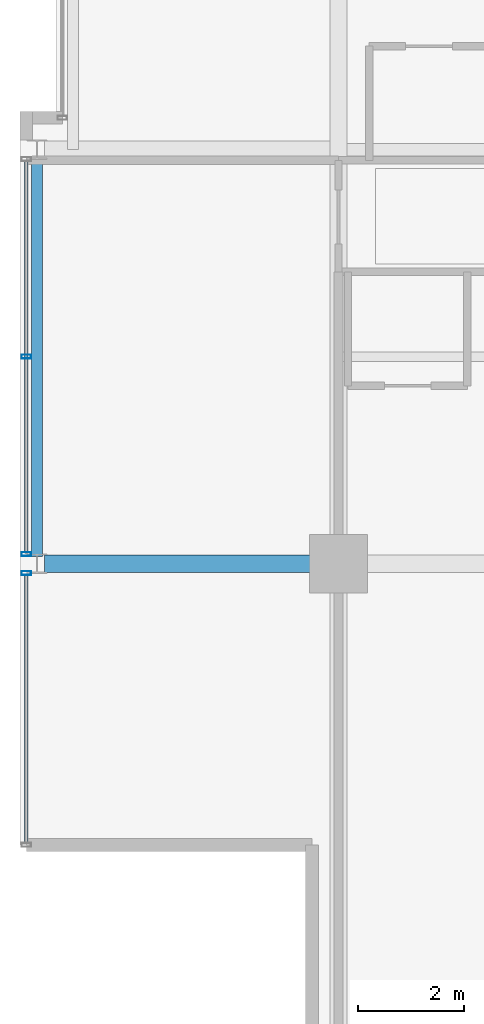
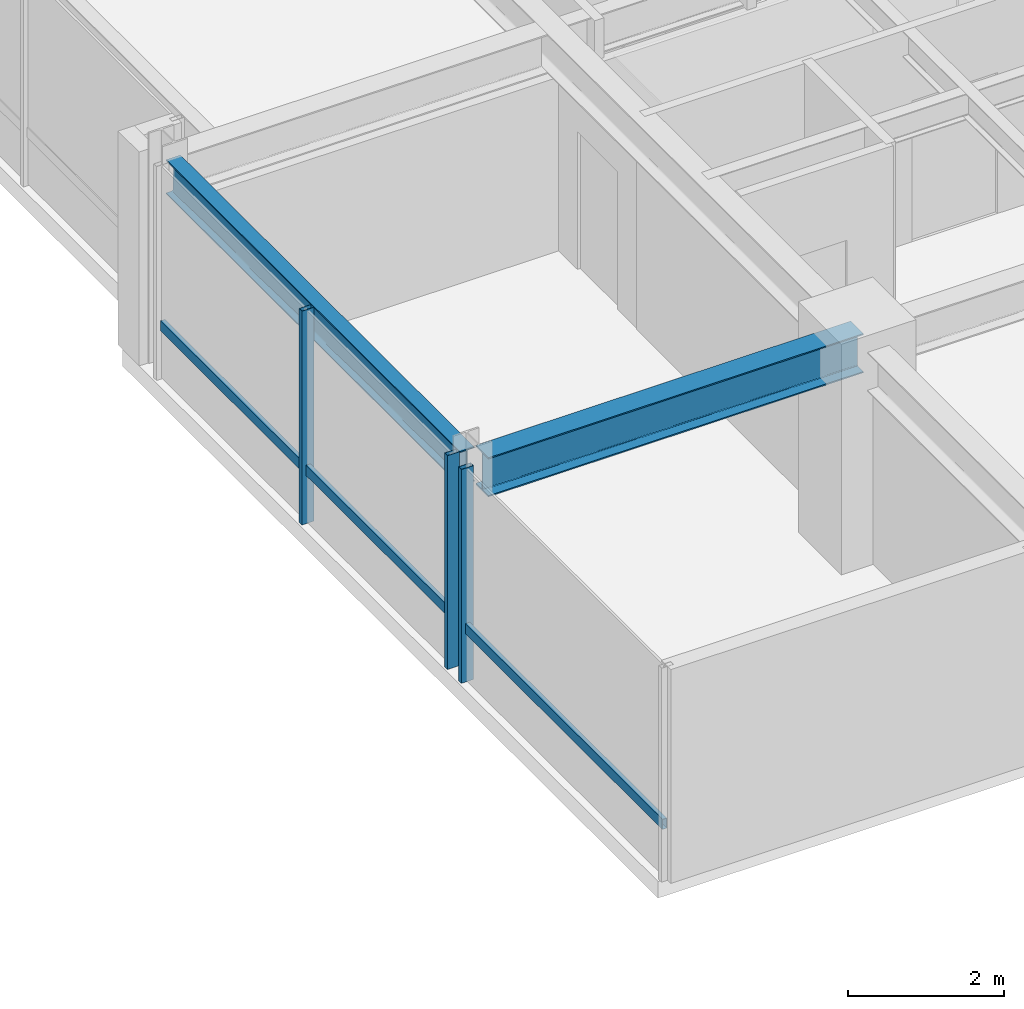
# One storey, part 5 of 31: 5 members, 2 beams, 2 elements without a shape of their own.
"""IFC4 building model written with IfcOpenShell, lengths in metres."""

import ifcopenshell
import ifcopenshell.guid

model = None  # the IFC model being written
_history = None  # IfcOwnerHistory: only IFC2X3 demands one
_inside = {}  # id of a spatial element -> (the spatial element, [elements in it])
_under = {}  # id of a project, library or spatial element -> (it, [spatial elements below it])
_declared = {}  # id of a project -> (the project, [libraries it declares])
_typed = {}  # id of a type object -> (the type object, [elements of that type])
_made_of = {}  # id of a material, layer set ... -> (it, [elements and type objects made of it])


def new_model(schema):
    """Start an empty IFC model of exactly this schema.

    Asked for "IFC4X3", IfcOpenShell would pick the latest addendum, in which some entities
    have other attributes; the version numbers below select the first issue.
    IFC2X3 requires an IfcOwnerHistory on every rooted entity: one is made here for all.
    """
    global model, _history
    if schema == "IFC4X3":
        model = ifcopenshell.file(schema_version=(4, 3, 0, 0))
    else:
        model = ifcopenshell.file(schema=schema)
    _inside.clear()
    _under.clear()
    _declared.clear()
    _typed.clear()
    _made_of.clear()
    _history = None
    if model.schema == "IFC2X3":
        org = make("IfcOrganization", Name="unknown")
        user = make(
            "IfcPersonAndOrganization",
            ThePerson=make("IfcPerson", FamilyName="unknown"),
            TheOrganization=org,
        )
        app = make(
            "IfcApplication",
            ApplicationDeveloper=org,
            Version="unknown",
            ApplicationFullName="unknown",
            ApplicationIdentifier="unknown",
        )
        _history = make(
            "IfcOwnerHistory",
            OwningUser=user,
            OwningApplication=app,
            ChangeAction="ADDED",
            CreationDate=0,
        )
    return model


def make(cls, **values):
    """One entity of the class cls with the attributes given. An attribute that is None is left unset."""
    return model.create_entity(
        cls, **{name: value for name, value in values.items() if value is not None}
    )


def rooted(cls, **values):
    """An entity with a GlobalId (a new one), such as an element, a storey or a relation."""
    return make(cls, GlobalId=ifcopenshell.guid.new(), OwnerHistory=_history, **values)


def si_unit(unit_type, name, prefix=None):
    """IfcSIUnit, for example si_unit("LENGTHUNIT", "METRE", prefix="MILLI")."""
    return make("IfcSIUnit", UnitType=unit_type, Prefix=prefix, Name=name)


def assignment(units):
    """IfcUnitAssignment: the units of a project."""
    return None if units is None else make("IfcUnitAssignment", Units=units)


def point(xyz):
    """IfcCartesianPoint."""
    return None if xyz is None else make("IfcCartesianPoint", Coordinates=xyz)


def direction(xyz):
    """IfcDirection."""
    return None if xyz is None else make("IfcDirection", DirectionRatios=xyz)


def frame(location, z_axis=None, x_axis=None):
    """IfcAxis2Placement3D, a coordinate frame: its origin and axes. An axis left out is left unset."""
    return make(
        "IfcAxis2Placement3D",
        Location=point(location),
        Axis=direction(z_axis),
        RefDirection=direction(x_axis),
    )


def frame_2d(location, x_axis=None):
    """IfcAxis2Placement2D, a coordinate frame in the plane: its origin and x axis."""
    return make(
        "IfcAxis2Placement2D", Location=point(location), RefDirection=direction(x_axis)
    )


def origin():
    """The frame at (0, 0, 0) with its axes left unset."""
    return frame((0.0, 0.0, 0.0))


def origin_2d():
    """The frame at (0, 0) in the plane with its x axis left unset."""
    return frame_2d((0.0, 0.0))


def place(relative_to, where):
    """IfcLocalPlacement: puts the frame where relative to a parent placement (None: the world)."""
    return make(
        "IfcLocalPlacement", PlacementRelTo=relative_to, RelativePlacement=where
    )


def context(
    kind, dimensions, precision=None, world=None, true_north=None, identifier=None
):
    """IfcGeometricRepresentationContext, for example the 3D "Model" context."""
    return make(
        "IfcGeometricRepresentationContext",
        ContextIdentifier=identifier,
        ContextType=kind,
        CoordinateSpaceDimension=dimensions,
        Precision=precision,
        WorldCoordinateSystem=world,
        TrueNorth=true_north,
    )


def subcontext(parent, identifier, kind, view, scale=None):
    """IfcGeometricRepresentationSubContext, for example "Body" below "Model"."""
    return make(
        "IfcGeometricRepresentationSubContext",
        ContextIdentifier=identifier,
        ContextType=kind,
        ParentContext=parent,
        TargetScale=scale,
        TargetView=view,
    )


def project(units=None, contexts=None):
    """IfcProject with its units and contexts."""
    return rooted(
        "IfcProject",
        Name="project",
        RepresentationContexts=contexts,
        UnitsInContext=assignment(units),
    )


def spatial(cls, under=None, at=None, **own):
    """A site, building, storey or space (cls), placed at a placement, below another one or the project."""
    s = rooted(cls, ObjectPlacement=at, **own)
    if under is not None:
        _under.setdefault(under.id(), (under, []))[1].append(s)
    return s


def profile(cls, at=None, kind="AREA", **sizes):
    """A parametric profile (cls). Its sizes go by their IFC names, for example OverallWidth=200.0."""
    return make(cls, ProfileType=kind, Position=at, **sizes)


def hollow_rectangle(**sizes):
    """IfcRectangleHollowProfileDef."""
    return profile("IfcRectangleHollowProfileDef", **sizes)


def i_section(**sizes):
    """IfcIShapeProfileDef."""
    return profile("IfcIShapeProfileDef", **sizes)


def extrude(swept, where, along, depth):
    """IfcExtrudedAreaSolid: the profile swept, set in the frame where, extruded along a direction by depth."""
    return make(
        "IfcExtrudedAreaSolid",
        SweptArea=swept,
        Position=where,
        ExtrudedDirection=direction(along),
        Depth=depth,
    )


def shape(context_of_items, identifier, shape_type, items):
    """IfcShapeRepresentation: the items that make up one representation, for example the "Body"."""
    return make(
        "IfcShapeRepresentation",
        ContextOfItems=context_of_items,
        RepresentationIdentifier=identifier,
        RepresentationType=shape_type,
        Items=items,
    )


def material(Name=None, Category=None):
    """IfcMaterial."""
    return make("IfcMaterial", Name=Name, Category=Category)


def layer(
    of_material, thickness, ventilated=None, Name=None, Category=None, Priority=None
):
    """IfcMaterialLayer: one layer of a wall or slab, of a material (None: an air gap)."""
    return make(
        "IfcMaterialLayer",
        Material=of_material,
        LayerThickness=thickness,
        IsVentilated=ventilated,
        Name=Name,
        Category=Category,
        Priority=Priority,
    )


def layer_set(layers, Name=None):
    """IfcMaterialLayerSet."""
    return make("IfcMaterialLayerSet", MaterialLayers=layers, LayerSetName=Name)


def material_profile(
    of_material, cross_section, Name=None, Category=None, Priority=None
):
    """IfcMaterialProfile: a cross section and its material."""
    return make(
        "IfcMaterialProfile",
        Name=Name,
        Material=of_material,
        Profile=cross_section,
        Priority=Priority,
        Category=Category,
    )


def profile_set(profiles, Name=None, composite=None):
    """IfcMaterialProfileSet."""
    return make(
        "IfcMaterialProfileSet",
        Name=Name,
        MaterialProfiles=profiles,
        CompositeProfile=composite,
    )


def made_of(thing, what):
    """Note that an element or type object is made of a material, layer set ...; save() writes the relation."""
    if what is not None:
        _made_of.setdefault(what.id(), (what, []))[1].append(thing)
    return thing


def type_object(cls, material=None, **own):
    """A type object (cls), such as IfcWallType, which elements share."""
    return made_of(rooted(cls, **own), material)


def element(
    cls,
    number,
    at=None,
    inside=None,
    cuts=None,
    type_object=None,
    material=None,
    context=None,
    identifier="Body",
    shape_type=None,
    held_by="IfcProductDefinitionShape",
    body=None,
    shapes=None,
    **own,
):
    """One element of the class cls, such as IfcWall. Its Tag is "e" and its number.

    at: its placement. inside: the storey or other place that contains it. cuts: it is an
    opening in that element (IfcRelVoidsElement). A single representation is given by context,
    identifier, shape_type and body (its items); several are given by shapes. held_by: the class
    of the entity that holds the representations. save() writes the other relations.
    """
    e = rooted(cls, Tag="e%d" % number, ObjectPlacement=at, **own)
    if body is not None:
        shapes = [shape(context, identifier, shape_type, body)]
    if shapes is not None:
        e.Representation = make(held_by, Representations=shapes)
    if inside is not None:
        _inside.setdefault(inside.id(), (inside, []))[1].append(e)
    if cuts is not None:
        rooted(
            "IfcRelVoidsElement", RelatingBuildingElement=cuts, RelatedOpeningElement=e
        )
    if type_object is not None:
        _typed.setdefault(type_object.id(), (type_object, []))[1].append(e)
    return made_of(e, material)


def aggregate(whole, parts):
    """IfcRelAggregates: a whole, such as a stair, and the parts it consists of."""
    return rooted("IfcRelAggregates", RelatingObject=whole, RelatedObjects=parts)


def save(model, path):
    """Write the relations noted so far, then the file.

    IfcRelAggregates (storeys below a building ...), IfcRelContainedInSpatialStructure (elements
    in a storey), IfcRelDefinesByType, IfcRelAssociatesMaterial and IfcRelDeclares: one each for
    every whole, place, type object, material and project.
    """
    for whole, parts in _under.values():
        aggregate(whole, parts)
    for where, things in _inside.values():
        rooted(
            "IfcRelContainedInSpatialStructure",
            RelatedElements=things,
            RelatingStructure=where,
        )
    for kind, things in _typed.values():
        rooted("IfcRelDefinesByType", RelatedObjects=things, RelatingType=kind)
    for what, things in _made_of.values():
        rooted("IfcRelAssociatesMaterial", RelatedObjects=things, RelatingMaterial=what)
    for by, libraries in _declared.values():
        rooted("IfcRelDeclares", RelatingContext=by, RelatedDefinitions=libraries)
    model.write(path)


model = new_model("IFC4")

# Units and contexts
model_context = context("Model", 3, precision=1e-05, world=origin(), true_north=direction((0.0, 1.0)))
body_context = subcontext(model_context, "Body", "Model", "MODEL_VIEW")
ifc_project = project(units=[si_unit("LENGTHUNIT", "METRE"), si_unit("AREAUNIT", "SQUARE_METRE"), si_unit("VOLUMEUNIT", "CUBIC_METRE"), si_unit("PLANEANGLEUNIT", "RADIAN"), si_unit("MASSUNIT", "GRAM", prefix="KILO")], contexts=[model_context])

# Site, building, storey
site_placement = place(None, origin())
site = spatial("IfcSite", under=ifc_project, at=site_placement, CompositionType="ELEMENT")
building_placement = place(site_placement, origin())
building = spatial("IfcBuilding", under=site, at=building_placement, Name="Drelvath Grand Hotel", CompositionType="ELEMENT")
storey_placement = place(building_placement, frame((0.0, 0.0, 244.699951171875)))
storey = spatial("IfcBuildingStorey", under=building, at=storey_placement, Name="L64", CompositionType="ELEMENT", Elevation=244.699951171875)

# Curtain wall, member
ifc_material_1 = material(Name="Platinum-Mist Anodised Aluminium Frame", Category="aluminium")
ifc_layer = layer(ifc_material_1, 0.199951171875)
ifc_layer_set = layer_set([ifc_layer], Name="Platinum-Mist Anodised Aluminium Frame")
curtain_wall_type = type_object("IfcCurtainWallType", Name="Stick Curtain Wall CW-05 Platinum Mist High-Rise", PredefinedType="NOTDEFINED", material=ifc_layer_set)
curtain_wall_1_placement = place(storey_placement, origin())
curtain_wall_1 = element("IfcCurtainWall", 1, at=curtain_wall_1_placement, inside=storey, type_object=curtain_wall_type, Name="L64 CW-05 Curtain Wall CW05-L64-WS1", PredefinedType="NOTDEFINED")
ifc_material_profile_1 = material_profile(ifc_material_1, hollow_rectangle(XDim=0.06494140625, YDim=0.159912109375, WallThickness=0.00390625, at=origin_2d()), Name="HSS160X65X4")
ifc_profile_set_1 = profile_set([ifc_material_profile_1], Name="Platinum-Mist Anodised Aluminium Frame")
member_type_1 = type_object("IfcMemberType", Name="Curtain Wall Horizontal Transom CW-05 HSS160X65X4", PredefinedType="USERDEFINED", material=ifc_profile_set_1)
member_1_placement = place(storey_placement, frame((-22.080078125, 5.5400390625, 0.8349609375), z_axis=(0.0, 1.0, 0.0), x_axis=(-1.0, 0.0, 0.0)))
member_1 = element("IfcMember", 2, at=member_1_placement, type_object=member_type_1, Name="CW05-L64-WS1 Sill Transom", ObjectType="TRANSOM", PredefinedType="USERDEFINED", context=body_context, shape_type="SweptSolid", body=[
    extrude(hollow_rectangle(XDim=0.06494140625, YDim=0.159912109375, WallThickness=0.00390625, at=origin_2d()), origin(), (0.0, 0.0, 1.0), 5.041748046875),
])

curtain_wall_2_placement = place(storey_placement, origin())
curtain_wall_2 = element("IfcCurtainWall", 3, at=curtain_wall_2_placement, inside=storey, type_object=curtain_wall_type, Name="L64 CW-05 Curtain Wall CW05-L64-WS2", PredefinedType="NOTDEFINED")
member_2_placement = place(storey_placement, frame((-22.080078125, 11.018310546875, 0.8349609375), z_axis=(0.0, 1.0, 0.0), x_axis=(-1.0, 0.0, 0.0)))
member_2 = element("IfcMember", 4, at=member_2_placement, type_object=member_type_1, Name="CW05-L64-WS2 Sill Transom", ObjectType="TRANSOM", PredefinedType="USERDEFINED", context=body_context, shape_type="SweptSolid", body=[
    extrude(hollow_rectangle(XDim=0.06494140625, YDim=0.159912109375, WallThickness=0.00390625, at=origin_2d()), origin(), (0.0, 0.0, 1.0), 7.363525390625),
])

# Member
ifc_material_profile_2 = material_profile(ifc_material_1, hollow_rectangle(XDim=0.074951171875, YDim=0.179931640625, WallThickness=0.0048828125, at=origin_2d()), Name="HSS180X75X5")
ifc_profile_set_2 = profile_set([ifc_material_profile_2], Name="Platinum-Mist Anodised Aluminium Frame")
member_type_2 = type_object("IfcMemberType", Name="Curtain Wall Vertical Mullion CW-05 HSS180X75X5", PredefinedType="MULLION", material=ifc_profile_set_2)
member_3_placement = place(storey_placement, frame((-22.080078125, 10.621826171875, 0.0), z_axis=(0.0, 0.0, 1.0), x_axis=(0.0, 1.0, 0.0)))
member_3 = element("IfcMember", 5, at=member_3_placement, type_object=member_type_2, Name="CW05-L64-WS1 Mullion 2", PredefinedType="MULLION", context=body_context, shape_type="SweptSolid", body=[
    extrude(hollow_rectangle(XDim=0.074951171875, YDim=0.179931640625, WallThickness=0.0048828125, at=origin_2d()), origin(), (0.0, 0.0, 1.0), 3.340087890625),
])

aggregate(curtain_wall_1, [member_3, member_1])

member_4_placement = place(storey_placement, frame((-22.080078125, 10.978271484375, 0.0), z_axis=(0.0, 0.0, 1.0), x_axis=(0.0, 1.0, 0.0)))
member_4 = element("IfcMember", 6, at=member_4_placement, type_object=member_type_2, Name="CW05-L64-WS2 Mullion 1", PredefinedType="MULLION", context=body_context, shape_type="SweptSolid", body=[
    extrude(hollow_rectangle(XDim=0.074951171875, YDim=0.179931640625, WallThickness=0.0048828125, at=origin_2d()), origin(), (0.0, 0.0, 1.0), 3.340087890625),
])

member_5_placement = place(storey_placement, frame((-22.080078125, 14.699951171875, 0.0), z_axis=(0.0, 0.0, 1.0), x_axis=(0.0, 1.0, 0.0)))
member_5 = element("IfcMember", 7, at=member_5_placement, type_object=member_type_2, Name="CW05-L64-WS2 Mullion 2", PredefinedType="MULLION", context=body_context, shape_type="SweptSolid", body=[
    extrude(hollow_rectangle(XDim=0.074951171875, YDim=0.179931640625, WallThickness=0.0048828125, at=origin_2d()), origin(), (0.0, 0.0, 1.0), 3.340087890625),
])

aggregate(curtain_wall_2, [member_4, member_5, member_2])

# Beams
ifc_material_2 = material(Name="Steel ASTM A992 Gr 50", Category="steel")
ifc_material_profile_3 = material_profile(ifc_material_2, i_section(OverallWidth=0.210205078125, OverallDepth=0.53662109375, WebThickness=0.010986328125, FlangeThickness=0.017333984375, FilletRadius=0.01806640625, at=origin_2d()), Name="W21X68")
ifc_profile_set_3 = profile_set([ifc_material_profile_3], Name="Steel ASTM A992 Gr 50")
beam_type_1 = type_object("IfcBeamType", Name="Perimeter Spandrel Beam W21X68", PredefinedType="SPANDREL", material=ifc_profile_set_3)
beam_1_placement = place(storey_placement, frame((-21.8798828125, 10.93994140625, 3.071533203125), z_axis=(0.0, 1.0, 0.0), x_axis=(-1.0, 0.0, 0.0)))
element("IfcBeam", 8, at=beam_1_placement, inside=storey, type_object=beam_type_1, Name="L64 Spandrel West S", PredefinedType="SPANDREL", context=body_context, shape_type="SweptSolid", body=[
    extrude(i_section(OverallWidth=0.210205078125, OverallDepth=0.53662109375, WebThickness=0.010986328125, FlangeThickness=0.017333984375, FilletRadius=0.01806640625, at=origin_2d()), origin(), (0.0, 0.0, 1.0), 7.52001953125),
])
ifc_material_profile_4 = material_profile(ifc_material_2, i_section(OverallWidth=0.323974609375, OverallDepth=0.611083984375, WebThickness=0.0126953125, FlangeThickness=0.01904296875, FilletRadius=0.02197265625, at=origin_2d()), Name="W24X104")
ifc_profile_set_4 = profile_set([ifc_material_profile_4], Name="Steel ASTM A992 Gr 50")
beam_type_2 = type_object("IfcBeamType", Name="Primary Floor Girder W24X104", PredefinedType="BEAM", material=ifc_profile_set_4)
beam_2_placement = place(storey_placement, frame((-21.739990234375, 10.800048828125, 3.034423828125), z_axis=(1.0, 0.0, 0.0), x_axis=(0.0, 1.0, 0.0)))
element("IfcBeam", 9, at=beam_2_placement, inside=storey, type_object=beam_type_2, Name="L64 West Grid Girder C", PredefinedType="BEAM", context=body_context, shape_type="SweptSolid", body=[
    extrude(i_section(OverallWidth=0.323974609375, OverallDepth=0.611083984375, WebThickness=0.0126953125, FlangeThickness=0.01904296875, FilletRadius=0.02197265625, at=origin_2d()), origin(), (0.0, 0.0, 1.0), 5.5400390625),
])

save(model, "model.ifc")
